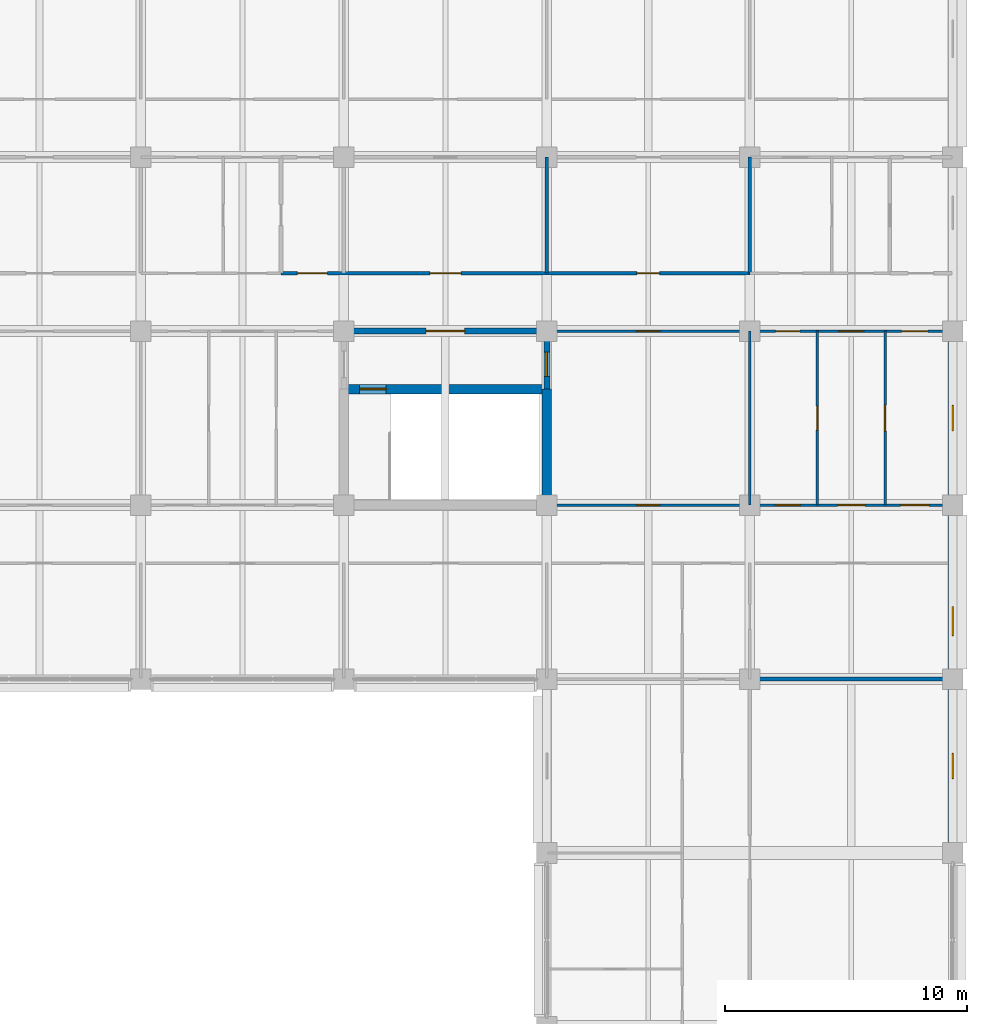
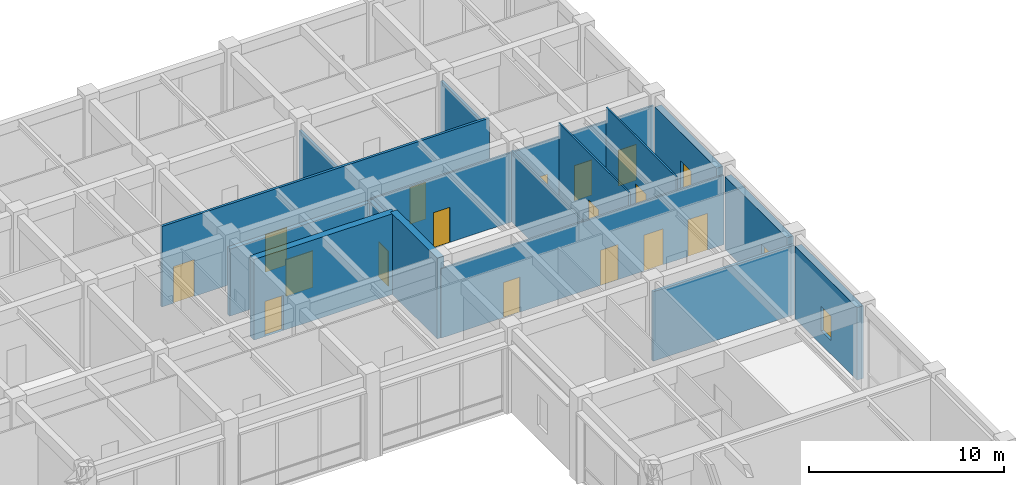
# One storey, part 48 of 58: 16 doors, 16 walls, 3 windows, 19 openings.
"""IFC4 building model written with IfcOpenShell, lengths in metres."""

from ifc_helpers import new_model, si_unit, direction, frame, frame_2d, origin, place, context, subcontext, project, spatial, rectangle, extrude, material, layer, layer_set, type_object, element, fill, save


model = new_model("IFC4")

# Units and contexts
model_context = context("Model", 3, precision=1e-05, world=origin(), true_north=direction((0.0, 1.0)))
body_context = subcontext(model_context, "Body", "Model", "MODEL_VIEW")
ifc_project = project(units=[si_unit("LENGTHUNIT", "METRE"), si_unit("AREAUNIT", "SQUARE_METRE"), si_unit("VOLUMEUNIT", "CUBIC_METRE"), si_unit("PLANEANGLEUNIT", "RADIAN"), si_unit("MASSUNIT", "GRAM", prefix="KILO")], contexts=[model_context])

# Site, building, storey
site_placement = place(None, origin())
site = spatial("IfcSite", under=ifc_project, at=site_placement, CompositionType="ELEMENT")
building_placement = place(site_placement, origin())
building = spatial("IfcBuilding", under=site, at=building_placement, Name="Chengyuan Square Courthouse", CompositionType="ELEMENT")
storey_placement = place(building_placement, frame((0.0, 0.0, 16.199951171875)))
storey = spatial("IfcBuildingStorey", under=building, at=storey_placement, Name="L04", CompositionType="ELEMENT", Elevation=16.199951171875)

# Wall, opening, window
ifc_material_1 = material(Name="Concrete C40", Category="concrete")
ifc_layer_1 = layer(ifc_material_1, 0.3798828125)
ifc_layer_set_1 = layer_set([ifc_layer_1], Name="Concrete C40")
wall_type_1 = type_object("IfcWallType", Name="WL-EW1", PredefinedType="STANDARD", material=ifc_layer_set_1)
wall_1_placement = place(storey_placement, frame((168.0, 72.419921875, 0.0), z_axis=(0.0, 0.0, 1.0), x_axis=(0.0, 1.0, 0.0)))
wall_1 = element("IfcWall", 1, at=wall_1_placement, inside=storey, type_object=wall_type_1, Name="Exterior Wall WL-L04-E334", PredefinedType="STANDARD", context=body_context, shape_type="SweptSolid", body=[
    extrude(rectangle(XDim=6.360107421875, YDim=0.3798828125, at=frame_2d((3.18017578125, 0.0))), origin(), (0.0, 0.0, 1.0), 4.550048828125),
])
opening_1_placement = place(wall_1_placement, frame((2.655029296875, 0.0, 0.85009765625)))
opening_1 = element("IfcOpeningElement", 2, at=opening_1_placement, cuts=wall_1, Name="Opening WN-106", PredefinedType="OPENING", context=body_context, shape_type="SweptSolid", body=[
    extrude(rectangle(XDim=1.050048828125, YDim=1.56005859375, at=frame_2d((0.52490234375, 0.780029296875))), frame((0.0, 0.201904296875, 0.0), z_axis=(0.0, -1.0, 0.0), x_axis=(1.0, 0.0, 0.0)), (0.0, 0.0, 1.0), 0.40380859375),
])
ifc_material_2 = material(Name="Thermally Broken Aluminium Triple Low-E Window", Category="aluminium")
window_type_1 = type_object("IfcWindowType", Name="WT-09", PartitioningType="SINGLE_PANEL", PredefinedType="WINDOW", material=ifc_material_2)
window_1_placement = place(opening_1_placement, origin())
window_1 = element("IfcWindow", 3, at=window_1_placement, inside=storey, type_object=window_type_1, Name="Facade Window WN-106", OverallHeight=1.56005859375, OverallWidth=1.050048828125, PartitioningType="SINGLE_PANEL", PredefinedType="WINDOW", context=body_context, shape_type="SweptSolid", body=[
    extrude(rectangle(XDim=1.050048828125, YDim=1.56005859375, at=frame_2d((0.52490234375, 0.780029296875))), frame((0.0, 0.030029296875, 0.0), z_axis=(0.0, -1.0, 0.0), x_axis=(1.0, 0.0, 0.0)), (0.0, 0.0, 1.0), 0.06005859375),
])
fill(opening_1, window_1)

wall_2_placement = place(storey_placement, frame((168.0, 79.6201171875, 0.0), z_axis=(0.0, 0.0, 1.0), x_axis=(0.0, 1.0, 0.0)))
wall_2 = element("IfcWall", 4, at=wall_2_placement, inside=storey, type_object=wall_type_1, Name="Exterior Wall WL-L04-E335", PredefinedType="STANDARD", context=body_context, shape_type="SweptSolid", body=[
    extrude(rectangle(XDim=6.35986328125, YDim=0.3798828125, at=frame_2d((3.179931640625, 0.0))), origin(), (0.0, 0.0, 1.0), 4.550048828125),
])
opening_2_placement = place(wall_2_placement, frame((1.3798828125, 0.0, 0.85009765625)))
opening_2 = element("IfcOpeningElement", 5, at=opening_2_placement, cuts=wall_2, Name="Opening WN-107", PredefinedType="OPENING", context=body_context, shape_type="SweptSolid", body=[
    extrude(rectangle(XDim=1.199951171875, YDim=1.739990234375, at=frame_2d((0.60009765625, 0.8701171875))), frame((0.0, 0.201904296875, 0.0), z_axis=(0.0, -1.0, 0.0), x_axis=(1.0, 0.0, 0.0)), (0.0, 0.0, 1.0), 0.40380859375),
])
window_type_2 = type_object("IfcWindowType", Name="WT-16", PartitioningType="SINGLE_PANEL", PredefinedType="WINDOW", material=ifc_material_2)
window_2_placement = place(opening_2_placement, origin())
window_2 = element("IfcWindow", 6, at=window_2_placement, inside=storey, type_object=window_type_2, Name="Facade Window WN-107", OverallHeight=1.739990234375, OverallWidth=1.199951171875, PartitioningType="SINGLE_PANEL", PredefinedType="WINDOW", context=body_context, shape_type="SweptSolid", body=[
    extrude(rectangle(XDim=1.199951171875, YDim=1.739990234375, at=frame_2d((0.60009765625, 0.8701171875))), frame((0.0, 0.030029296875, 0.0), z_axis=(0.0, -1.0, 0.0), x_axis=(1.0, 0.0, 0.0)), (0.0, 0.0, 1.0), 0.06005859375),
])
fill(opening_2, window_2)

wall_3_placement = place(storey_placement, frame((168.0, 86.820068359375, 0.0), z_axis=(0.0, 0.0, 1.0), x_axis=(0.0, 1.0, 0.0)))
wall_3 = element("IfcWall", 7, at=wall_3_placement, inside=storey, type_object=wall_type_1, Name="Exterior Wall WL-L04-E336", PredefinedType="STANDARD", context=body_context, shape_type="SweptSolid", body=[
    extrude(rectangle(XDim=6.35986328125, YDim=0.3798828125, at=frame_2d((3.179931640625, 0.0))), origin(), (0.0, 0.0, 1.0), 4.550048828125),
])
opening_3_placement = place(wall_3_placement, frame((2.655029296875, 0.0, 0.85009765625)))
opening_3 = element("IfcOpeningElement", 8, at=opening_3_placement, cuts=wall_3, Name="Opening WN-108", PredefinedType="OPENING", context=body_context, shape_type="SweptSolid", body=[
    extrude(rectangle(XDim=1.050048828125, YDim=1.919921875, at=frame_2d((0.52490234375, 0.9599609375))), frame((0.0, 0.201904296875, 0.0), z_axis=(0.0, -1.0, 0.0), x_axis=(1.0, 0.0, 0.0)), (0.0, 0.0, 1.0), 0.40380859375),
])
window_type_3 = type_object("IfcWindowType", Name="WT-11", PartitioningType="SINGLE_PANEL", PredefinedType="WINDOW", material=ifc_material_2)
window_3_placement = place(opening_3_placement, origin())
window_3 = element("IfcWindow", 9, at=window_3_placement, inside=storey, type_object=window_type_3, Name="Facade Window WN-108", OverallHeight=1.919921875, OverallWidth=1.050048828125, PartitioningType="SINGLE_PANEL", PredefinedType="WINDOW", context=body_context, shape_type="SweptSolid", body=[
    extrude(rectangle(XDim=1.050048828125, YDim=1.919921875, at=frame_2d((0.52490234375, 0.9599609375))), frame((0.0, 0.030029296875, 0.0), z_axis=(0.0, -1.0, 0.0), x_axis=(1.0, 0.0, 0.0)), (0.0, 0.0, 1.0), 0.06005859375),
])
fill(opening_3, window_3)

# Wall, opening, door
ifc_layer_2 = layer(ifc_material_1, 0.25)
ifc_layer_set_2 = layer_set([ifc_layer_2], Name="Concrete C40")
wall_type_2 = type_object("IfcWallType", Name="WL-FW1", PredefinedType="STANDARD", material=ifc_layer_set_2)
wall_4_placement = place(storey_placement, frame((142.800048828125, 93.60009765625, 0.0), z_axis=(0.0, 0.0, 1.0), x_axis=(1.0, 0.0, 0.0)))
wall_4 = element("IfcWall", 10, at=wall_4_placement, inside=storey, type_object=wall_type_2, Name="Interior Wall WL-L04-I1820", PredefinedType="STANDARD", context=body_context, shape_type="SweptSolid", body=[
    extrude(rectangle(XDim=8.39990234375, YDim=0.25, at=frame_2d((4.199951171875, 0.0))), origin(), (0.0, 0.0, 1.0), 4.199951171875),
])
opening_4_placement = place(wall_4_placement, frame((3.39990234375, 0.0, 0.0)))
opening_4 = element("IfcOpeningElement", 11, at=opening_4_placement, cuts=wall_4, Name="Opening DR-1660", PredefinedType="OPENING", context=body_context, shape_type="SweptSolid", body=[
    extrude(rectangle(XDim=1.60009765625, YDim=2.300048828125, at=frame_2d((0.800048828125, 1.14990234375))), frame((0.0, 0.136962890625, 0.0), z_axis=(0.0, -1.0, 0.0), x_axis=(1.0, 0.0, 0.0)), (0.0, 0.0, 1.0), 0.27392578125),
])
ifc_material_3 = material(Name="Steel Q235B Glazed Fire Door", Category="steel")
door_type_1 = type_object("IfcDoorType", Name="DT-17", OperationType="DOUBLE_DOOR_SINGLE_SWING", PredefinedType="DOOR", material=ifc_material_3)
door_1_placement = place(opening_4_placement, frame((1.60009765625, 0.0, 0.0), z_axis=(0.0, 0.0, 1.0), x_axis=(-1.0, 0.0, 0.0)))
door_1 = element("IfcDoor", 12, at=door_1_placement, inside=storey, type_object=door_type_1, Name="Interior Door DR-1660", OperationType="DOUBLE_DOOR_SINGLE_SWING", OverallHeight=2.300048828125, OverallWidth=1.60009765625, PredefinedType="DOOR", context=body_context, shape_type="SweptSolid", body=[
    extrude(rectangle(XDim=1.60009765625, YDim=2.300048828125, at=frame_2d((0.800048828125, 1.14990234375))), frame((0.0, 0.02490234375, 0.0), z_axis=(0.0, -1.0, 0.0), x_axis=(1.0, 0.0, 0.0)), (0.0, 0.0, 1.0), 0.050048828125),
])
fill(opening_4, door_1)

wall_5_placement = place(storey_placement, frame((151.199951171875, 91.199951171875, 0.0), z_axis=(0.0, 0.0, 1.0), x_axis=(0.0, 1.0, 0.0)))
wall_5 = element("IfcWall", 13, at=wall_5_placement, inside=storey, type_object=wall_type_2, Name="Interior Wall WL-L04-I2082", PredefinedType="STANDARD", context=body_context, shape_type="SweptSolid", body=[
    extrude(rectangle(XDim=2.400146484375, YDim=0.25, at=frame_2d((1.2001953125, 0.0))), origin(), (0.0, 0.0, 1.0), 4.300048828125),
])
opening_5_placement = place(wall_5_placement, frame((0.527587890625, 0.0, 0.0)))
opening_5 = element("IfcOpeningElement", 14, at=opening_5_placement, cuts=wall_5, Name="Opening DR-1662", PredefinedType="OPENING", context=body_context, shape_type="SweptSolid", body=[
    extrude(rectangle(XDim=1.0, YDim=2.199951171875, at=frame_2d((0.5, 1.10009765625))), frame((0.0, 0.136962890625, 0.0), z_axis=(0.0, -1.0, 0.0), x_axis=(1.0, 0.0, 0.0)), (0.0, 0.0, 1.0), 0.27392578125),
])
ifc_material_4 = material(Name="Steel Q235B Fire Door", Category="steel")
door_type_2 = type_object("IfcDoorType", Name="DT-11", OperationType="NOTDEFINED", PredefinedType="DOOR", material=ifc_material_4)
door_2_placement = place(opening_5_placement, origin())
door_2 = element("IfcDoor", 15, at=door_2_placement, inside=storey, type_object=door_type_2, Name="Interior Door DR-1662", OperationType="SINGLE_SWING_RIGHT", OverallHeight=2.199951171875, OverallWidth=1.0, PredefinedType="DOOR", context=body_context, shape_type="SweptSolid", body=[
    extrude(rectangle(XDim=1.0, YDim=2.199951171875, at=frame_2d((0.5, 1.10009765625))), frame((0.0, 0.02490234375, 0.0), z_axis=(0.0, -1.0, 0.0), x_axis=(1.0, 0.0, 0.0)), (0.0, 0.0, 1.0), 0.050048828125),
])
fill(opening_5, door_2)

# Wall
ifc_material_5 = material(Name="Acoustic Timber-Lined Gypsum Partition", Category="wood")
ifc_layer_3 = layer(ifc_material_5, 0.159912109375)
ifc_layer_set_3 = layer_set([ifc_layer_3], Name="Acoustic Timber-Lined Gypsum Partition")
wall_type_3 = type_object("IfcWallType", Name="WL-PT2", PredefinedType="STANDARD", material=ifc_layer_set_3)
wall_6_placement = place(storey_placement, frame((159.60009765625, 79.199951171875, 0.0), z_axis=(0.0, 0.0, 1.0), x_axis=(1.0, 0.0, 0.0)))
element("IfcWall", 16, at=wall_6_placement, inside=storey, type_object=wall_type_3, Name="Interior Wall WL-L04-I1772", PredefinedType="STANDARD", context=body_context, shape_type="SweptSolid", body=[
    extrude(rectangle(XDim=8.35986328125, YDim=0.159912109375, at=frame_2d((4.179931640625, 0.0))), origin(), (0.0, 0.0, 1.0), 4.35009765625),
])

# Wall, openings, doors
ifc_material_6 = material(Name="Deliberation Room Sound-Insulated Partition")
ifc_layer_4 = layer(ifc_material_6, 0.14990234375)
ifc_layer_set_4 = layer_set([ifc_layer_4], Name="Deliberation Room Sound-Insulated Partition")
wall_type_4 = type_object("IfcWallType", Name="WL-PT3", PredefinedType="STANDARD", material=ifc_layer_set_4)
wall_7_placement = place(storey_placement, frame((140.199951171875, 96.0, 0.0), z_axis=(0.0, 0.0, 1.0), x_axis=(1.0, 0.0, 0.0)))
wall_7 = element("IfcWall", 17, at=wall_7_placement, inside=storey, type_object=wall_type_4, Name="Interior Wall WL-L04-I1833", PredefinedType="STANDARD", context=body_context, shape_type="SweptSolid", body=[
    extrude(rectangle(XDim=19.400146484375, YDim=0.14990234375, at=frame_2d((9.7001953125, 0.0))), origin(), (0.0, 0.0, 1.0), 5.050048828125),
])
opening_6_placement = place(wall_7_placement, frame((0.679931640625, 0.0, 0.0)))
opening_6 = element("IfcOpeningElement", 18, at=opening_6_placement, cuts=wall_7, Name="Opening DR-1791", PredefinedType="OPENING", context=body_context, shape_type="SweptSolid", body=[
    extrude(rectangle(XDim=1.239990234375, YDim=2.300048828125, at=frame_2d((0.6201171875, 1.14990234375))), frame((0.0, 0.0869140625, 0.0), z_axis=(0.0, -1.0, 0.0), x_axis=(1.0, 0.0, 0.0)), (0.0, 0.0, 1.0), 0.173828125),
])
opening_7_placement = place(wall_7_placement, frame((6.159912109375, 0.0, 0.0)))
opening_7 = element("IfcOpeningElement", 19, at=opening_7_placement, cuts=wall_7, Name="Opening DR-1792", PredefinedType="OPENING", context=body_context, shape_type="SweptSolid", body=[
    extrude(rectangle(XDim=1.280029296875, YDim=2.35009765625, at=frame_2d((0.64013671875, 1.175048828125))), frame((0.0, 0.0869140625, 0.0), z_axis=(0.0, -1.0, 0.0), x_axis=(1.0, 0.0, 0.0)), (0.0, 0.0, 1.0), 0.173828125),
])
opening_8_placement = place(wall_7_placement, frame((14.72998046875, 0.0, 0.0)))
opening_8 = element("IfcOpeningElement", 20, at=opening_8_placement, cuts=wall_7, Name="Opening DR-1793", PredefinedType="OPENING", context=body_context, shape_type="SweptSolid", body=[
    extrude(rectangle(XDim=0.93994140625, YDim=2.300048828125, at=frame_2d((0.469970703125, 1.14990234375))), frame((0.0, 0.0869140625, 0.0), z_axis=(0.0, -1.0, 0.0), x_axis=(1.0, 0.0, 0.0)), (0.0, 0.0, 1.0), 0.173828125),
])
ifc_material_7 = material(Name="Acoustic Solid-Core Timber Door", Category="wood")
door_type_3 = type_object("IfcDoorType", Name="DT-37", OperationType="NOTDEFINED", PredefinedType="DOOR", material=ifc_material_7)
door_3_placement = place(opening_6_placement, origin())
door_3 = element("IfcDoor", 21, at=door_3_placement, inside=storey, type_object=door_type_3, Name="Interior Door DR-1791", OperationType="SINGLE_SWING_LEFT", OverallHeight=2.300048828125, OverallWidth=1.239990234375, PredefinedType="DOOR", context=body_context, shape_type="SweptSolid", body=[
    extrude(rectangle(XDim=1.239990234375, YDim=2.300048828125, at=frame_2d((0.6201171875, 1.14990234375))), frame((0.0, 0.02490234375, 0.0), z_axis=(0.0, -1.0, 0.0), x_axis=(1.0, 0.0, 0.0)), (0.0, 0.0, 1.0), 0.050048828125),
])
fill(opening_6, door_3)
door_type_4 = type_object("IfcDoorType", Name="DT-38", OperationType="NOTDEFINED", PredefinedType="DOOR", material=ifc_material_7)
door_4_placement = place(opening_7_placement, origin())
door_4 = element("IfcDoor", 22, at=door_4_placement, inside=storey, type_object=door_type_4, Name="Interior Door DR-1792", OperationType="SINGLE_SWING_RIGHT", OverallHeight=2.35009765625, OverallWidth=1.280029296875, PredefinedType="DOOR", context=body_context, shape_type="SweptSolid", body=[
    extrude(rectangle(XDim=1.280029296875, YDim=2.35009765625, at=frame_2d((0.64013671875, 1.175048828125))), frame((0.0, 0.02490234375, 0.0), z_axis=(0.0, -1.0, 0.0), x_axis=(1.0, 0.0, 0.0)), (0.0, 0.0, 1.0), 0.050048828125),
])
fill(opening_7, door_4)
door_type_5 = type_object("IfcDoorType", Name="DT-39", OperationType="NOTDEFINED", PredefinedType="DOOR", material=ifc_material_7)
door_5_placement = place(opening_8_placement, origin())
door_5 = element("IfcDoor", 23, at=door_5_placement, inside=storey, type_object=door_type_5, Name="Interior Door DR-1793", OperationType="SINGLE_SWING_LEFT", OverallHeight=2.300048828125, OverallWidth=0.93994140625, PredefinedType="DOOR", context=body_context, shape_type="SweptSolid", body=[
    extrude(rectangle(XDim=0.93994140625, YDim=2.300048828125, at=frame_2d((0.469970703125, 1.14990234375))), frame((0.0, 0.02490234375, 0.0), z_axis=(0.0, -1.0, 0.0), x_axis=(1.0, 0.0, 0.0)), (0.0, 0.0, 1.0), 0.050048828125),
])
fill(opening_8, door_5)

# Walls
wall_8_placement = place(storey_placement, frame((151.199951171875, 96.0, 0.0), z_axis=(0.0, 0.0, 1.0), x_axis=(0.0, 1.0, 0.0)))
element("IfcWall", 24, at=wall_8_placement, inside=storey, type_object=wall_type_4, Name="Interior Wall WL-L04-I2083", PredefinedType="STANDARD", context=body_context, shape_type="SweptSolid", body=[
    extrude(rectangle(XDim=4.800048828125, YDim=0.14990234375, at=frame_2d((2.39990234375, 0.0))), origin(), (0.0, 0.0, 1.0), 4.300048828125),
])
wall_9_placement = place(storey_placement, frame((159.60009765625, 96.0, 0.0), z_axis=(0.0, 0.0, 1.0), x_axis=(0.0, 1.0, 0.0)))
element("IfcWall", 25, at=wall_9_placement, inside=storey, type_object=wall_type_4, Name="Interior Wall WL-L04-I2095", PredefinedType="STANDARD", context=body_context, shape_type="SweptSolid", body=[
    extrude(rectangle(XDim=4.800048828125, YDim=0.14990234375, at=frame_2d((2.39990234375, 0.0))), origin(), (0.0, 0.0, 1.0), 4.449951171875),
])

# Wall, openings, doors
ifc_material_8 = material(Name="Gypsum Plasterboard Acoustic Stud Partition")
ifc_layer_5 = layer(ifc_material_8, 0.10009765625)
ifc_layer_set_5 = layer_set([ifc_layer_5], Name="Gypsum Plasterboard Acoustic Stud Partition")
wall_type_5 = type_object("IfcWallType", Name="WL-PT6", PredefinedType="STANDARD", material=ifc_layer_set_5)
wall_10_placement = place(storey_placement, frame((151.199951171875, 86.39990234375, 0.0), z_axis=(0.0, 0.0, 1.0), x_axis=(1.0, 0.0, 0.0)))
wall_10 = element("IfcWall", 26, at=wall_10_placement, inside=storey, type_object=wall_type_5, Name="Interior Wall WL-L04-I1793", PredefinedType="STANDARD", context=body_context, shape_type="SweptSolid", body=[
    extrude(rectangle(XDim=16.760009765625, YDim=0.10009765625, at=frame_2d((8.3798828125, 0.0))), origin(), (0.0, 0.0, 1.0), 4.35009765625),
])
opening_9_placement = place(wall_10_placement, frame((3.719970703125, 0.0, 0.0)))
opening_9 = element("IfcOpeningElement", 27, at=opening_9_placement, cuts=wall_10, Name="Opening DR-1852", PredefinedType="OPENING", context=body_context, shape_type="SweptSolid", body=[
    extrude(rectangle(XDim=0.9599609375, YDim=2.199951171875, at=frame_2d((0.47998046875, 1.10009765625))), frame((0.0, 0.06201171875, 0.0), z_axis=(0.0, -1.0, 0.0), x_axis=(1.0, 0.0, 0.0)), (0.0, 0.0, 1.0), 0.1240234375),
])
opening_10_placement = place(wall_10_placement, frame((9.452392578125, 0.0, 0.0)))
opening_10 = element("IfcOpeningElement", 28, at=opening_10_placement, cuts=wall_10, Name="Opening DR-1854", PredefinedType="OPENING", context=body_context, shape_type="SweptSolid", body=[
    extrude(rectangle(XDim=1.0400390625, YDim=2.199951171875, at=frame_2d((0.52001953125, 1.10009765625))), frame((0.0, 0.06201171875, 0.0), z_axis=(0.0, -1.0, 0.0), x_axis=(1.0, 0.0, 0.0)), (0.0, 0.0, 1.0), 0.1240234375),
])
opening_11_placement = place(wall_10_placement, frame((12.0400390625, 0.0, 0.0)))
opening_11 = element("IfcOpeningElement", 29, at=opening_11_placement, cuts=wall_10, Name="Opening DR-1856", PredefinedType="OPENING", context=body_context, shape_type="SweptSolid", body=[
    extrude(rectangle(XDim=1.1201171875, YDim=2.25, at=frame_2d((0.56005859375, 1.125))), frame((0.0, 0.06201171875, 0.0), z_axis=(0.0, -1.0, 0.0), x_axis=(1.0, 0.0, 0.0)), (0.0, 0.0, 1.0), 0.1240234375),
])
opening_12_placement = place(wall_10_placement, frame((14.6474609375, 0.0, 0.0)))
opening_12 = element("IfcOpeningElement", 30, at=opening_12_placement, cuts=wall_10, Name="Opening DR-1857", PredefinedType="OPENING", context=body_context, shape_type="SweptSolid", body=[
    extrude(rectangle(XDim=1.159912109375, YDim=2.300048828125, at=frame_2d((0.580078125, 1.14990234375))), frame((0.0, 0.06201171875, 0.0), z_axis=(0.0, -1.0, 0.0), x_axis=(1.0, 0.0, 0.0)), (0.0, 0.0, 1.0), 0.1240234375),
])
door_type_6 = type_object("IfcDoorType", Name="DT-30", OperationType="NOTDEFINED", PredefinedType="DOOR", material=ifc_material_7)
door_6_placement = place(opening_9_placement, origin())
door_6 = element("IfcDoor", 31, at=door_6_placement, inside=storey, type_object=door_type_6, Name="Interior Door DR-1852", OperationType="SINGLE_SWING_RIGHT", OverallHeight=2.199951171875, OverallWidth=0.9599609375, PredefinedType="DOOR", context=body_context, shape_type="SweptSolid", body=[
    extrude(rectangle(XDim=0.9599609375, YDim=2.199951171875, at=frame_2d((0.47998046875, 1.10009765625))), frame((0.0, 0.02490234375, 0.0), z_axis=(0.0, -1.0, 0.0), x_axis=(1.0, 0.0, 0.0)), (0.0, 0.0, 1.0), 0.050048828125),
])
fill(opening_9, door_6)
door_type_7 = type_object("IfcDoorType", Name="DT-32", OperationType="NOTDEFINED", PredefinedType="DOOR", material=ifc_material_7)
door_7_placement = place(opening_10_placement, origin())
door_7 = element("IfcDoor", 32, at=door_7_placement, inside=storey, type_object=door_type_7, Name="Interior Door DR-1854", OperationType="SINGLE_SWING_RIGHT", OverallHeight=2.199951171875, OverallWidth=1.0400390625, PredefinedType="DOOR", context=body_context, shape_type="SweptSolid", body=[
    extrude(rectangle(XDim=1.0400390625, YDim=2.199951171875, at=frame_2d((0.52001953125, 1.10009765625))), frame((0.0, 0.02490234375, 0.0), z_axis=(0.0, -1.0, 0.0), x_axis=(1.0, 0.0, 0.0)), (0.0, 0.0, 1.0), 0.050048828125),
])
fill(opening_10, door_7)
door_type_8 = type_object("IfcDoorType", Name="DT-34", OperationType="NOTDEFINED", PredefinedType="DOOR", material=ifc_material_7)
door_8_placement = place(opening_11_placement, origin())
door_8 = element("IfcDoor", 33, at=door_8_placement, inside=storey, type_object=door_type_8, Name="Interior Door DR-1856", OperationType="SINGLE_SWING_RIGHT", OverallHeight=2.25, OverallWidth=1.1201171875, PredefinedType="DOOR", context=body_context, shape_type="SweptSolid", body=[
    extrude(rectangle(XDim=1.1201171875, YDim=2.25, at=frame_2d((0.56005859375, 1.125))), frame((0.0, 0.02490234375, 0.0), z_axis=(0.0, -1.0, 0.0), x_axis=(1.0, 0.0, 0.0)), (0.0, 0.0, 1.0), 0.050048828125),
])
fill(opening_11, door_8)
door_type_9 = type_object("IfcDoorType", Name="DT-35", OperationType="NOTDEFINED", PredefinedType="DOOR", material=ifc_material_7)
door_9_placement = place(opening_12_placement, origin())
door_9 = element("IfcDoor", 34, at=door_9_placement, inside=storey, type_object=door_type_9, Name="Interior Door DR-1857", OperationType="SINGLE_SWING_LEFT", OverallHeight=2.300048828125, OverallWidth=1.159912109375, PredefinedType="DOOR", context=body_context, shape_type="SweptSolid", body=[
    extrude(rectangle(XDim=1.159912109375, YDim=2.300048828125, at=frame_2d((0.580078125, 1.14990234375))), frame((0.0, 0.02490234375, 0.0), z_axis=(0.0, -1.0, 0.0), x_axis=(1.0, 0.0, 0.0)), (0.0, 0.0, 1.0), 0.050048828125),
])
fill(opening_12, door_9)

wall_11_placement = place(storey_placement, frame((151.199951171875, 93.60009765625, 0.0), z_axis=(0.0, 0.0, 1.0), x_axis=(1.0, 0.0, 0.0)))
wall_11 = element("IfcWall", 35, at=wall_11_placement, inside=storey, type_object=wall_type_5, Name="Interior Wall WL-L04-I1821", PredefinedType="STANDARD", context=body_context, shape_type="SweptSolid", body=[
    extrude(rectangle(XDim=16.760009765625, YDim=0.10009765625, at=frame_2d((8.3798828125, 0.0))), origin(), (0.0, 0.0, 1.0), 4.35009765625),
])
opening_13_placement = place(wall_11_placement, frame((3.719970703125, 0.0, 0.0)))
opening_13 = element("IfcOpeningElement", 36, at=opening_13_placement, cuts=wall_11, Name="Opening DR-1801", PredefinedType="OPENING", context=body_context, shape_type="SweptSolid", body=[
    extrude(rectangle(XDim=0.9599609375, YDim=2.199951171875, at=frame_2d((0.47998046875, 1.10009765625))), frame((0.0, 0.06201171875, 0.0), z_axis=(0.0, -1.0, 0.0), x_axis=(1.0, 0.0, 0.0)), (0.0, 0.0, 1.0), 0.1240234375),
])
opening_14_placement = place(wall_11_placement, frame((9.472412109375, 0.0, 0.0)))
opening_14 = element("IfcOpeningElement", 37, at=opening_14_placement, cuts=wall_11, Name="Opening DR-1802", PredefinedType="OPENING", context=body_context, shape_type="SweptSolid", body=[
    extrude(rectangle(XDim=1.0, YDim=2.25, at=frame_2d((0.5, 1.125))), frame((0.0, 0.06201171875, 0.0), z_axis=(0.0, -1.0, 0.0), x_axis=(1.0, 0.0, 0.0)), (0.0, 0.0, 1.0), 0.1240234375),
])
opening_15_placement = place(wall_11_placement, frame((12.080078125, 0.0, 0.0)))
opening_15 = element("IfcOpeningElement", 38, at=opening_15_placement, cuts=wall_11, Name="Opening DR-1803", PredefinedType="OPENING", context=body_context, shape_type="SweptSolid", body=[
    extrude(rectangle(XDim=1.0400390625, YDim=2.199951171875, at=frame_2d((0.52001953125, 1.10009765625))), frame((0.0, 0.06201171875, 0.0), z_axis=(0.0, -1.0, 0.0), x_axis=(1.0, 0.0, 0.0)), (0.0, 0.0, 1.0), 0.1240234375),
])
opening_16_placement = place(wall_11_placement, frame((14.6875, 0.0, 0.0)))
opening_16 = element("IfcOpeningElement", 39, at=opening_16_placement, cuts=wall_11, Name="Opening DR-1804", PredefinedType="OPENING", context=body_context, shape_type="SweptSolid", body=[
    extrude(rectangle(XDim=1.080078125, YDim=2.25, at=frame_2d((0.5400390625, 1.125))), frame((0.0, 0.06201171875, 0.0), z_axis=(0.0, -1.0, 0.0), x_axis=(1.0, 0.0, 0.0)), (0.0, 0.0, 1.0), 0.1240234375),
])
door_10_placement = place(opening_13_placement, origin())
door_10 = element("IfcDoor", 40, at=door_10_placement, inside=storey, type_object=door_type_6, Name="Interior Door DR-1801", OperationType="SINGLE_SWING_RIGHT", OverallHeight=2.199951171875, OverallWidth=0.9599609375, PredefinedType="DOOR", context=body_context, shape_type="SweptSolid", body=[
    extrude(rectangle(XDim=0.9599609375, YDim=2.199951171875, at=frame_2d((0.47998046875, 1.10009765625))), frame((0.0, 0.02490234375, 0.0), z_axis=(0.0, -1.0, 0.0), x_axis=(1.0, 0.0, 0.0)), (0.0, 0.0, 1.0), 0.050048828125),
])
fill(opening_13, door_10)
door_type_10 = type_object("IfcDoorType", Name="DT-31", OperationType="NOTDEFINED", PredefinedType="DOOR", material=ifc_material_7)
door_11_placement = place(opening_14_placement, origin())
door_11 = element("IfcDoor", 41, at=door_11_placement, inside=storey, type_object=door_type_10, Name="Interior Door DR-1802", OperationType="SINGLE_SWING_LEFT", OverallHeight=2.25, OverallWidth=1.0, PredefinedType="DOOR", context=body_context, shape_type="SweptSolid", body=[
    extrude(rectangle(XDim=1.0, YDim=2.25, at=frame_2d((0.5, 1.125))), frame((0.0, 0.02490234375, 0.0), z_axis=(0.0, -1.0, 0.0), x_axis=(1.0, 0.0, 0.0)), (0.0, 0.0, 1.0), 0.050048828125),
])
fill(opening_14, door_11)
door_12_placement = place(opening_15_placement, origin())
door_12 = element("IfcDoor", 42, at=door_12_placement, inside=storey, type_object=door_type_7, Name="Interior Door DR-1803", OperationType="SINGLE_SWING_RIGHT", OverallHeight=2.199951171875, OverallWidth=1.0400390625, PredefinedType="DOOR", context=body_context, shape_type="SweptSolid", body=[
    extrude(rectangle(XDim=1.0400390625, YDim=2.199951171875, at=frame_2d((0.52001953125, 1.10009765625))), frame((0.0, 0.02490234375, 0.0), z_axis=(0.0, -1.0, 0.0), x_axis=(1.0, 0.0, 0.0)), (0.0, 0.0, 1.0), 0.050048828125),
])
fill(opening_15, door_12)
door_type_11 = type_object("IfcDoorType", Name="DT-33", OperationType="NOTDEFINED", PredefinedType="DOOR", material=ifc_material_7)
door_13_placement = place(opening_16_placement, origin())
door_13 = element("IfcDoor", 43, at=door_13_placement, inside=storey, type_object=door_type_11, Name="Interior Door DR-1804", OperationType="SINGLE_SWING_LEFT", OverallHeight=2.25, OverallWidth=1.080078125, PredefinedType="DOOR", context=body_context, shape_type="SweptSolid", body=[
    extrude(rectangle(XDim=1.080078125, YDim=2.25, at=frame_2d((0.5400390625, 1.125))), frame((0.0, 0.02490234375, 0.0), z_axis=(0.0, -1.0, 0.0), x_axis=(1.0, 0.0, 0.0)), (0.0, 0.0, 1.0), 0.050048828125),
])
fill(opening_16, door_13)

# Wall
wall_12_placement = place(storey_placement, frame((159.60009765625, 86.39990234375, 0.0), z_axis=(0.0, 0.0, 1.0), x_axis=(0.0, 1.0, 0.0)))
element("IfcWall", 44, at=wall_12_placement, inside=storey, type_object=wall_type_5, Name="Interior Wall WL-L04-I2094", PredefinedType="STANDARD", context=body_context, shape_type="SweptSolid", body=[
    extrude(rectangle(XDim=7.2001953125, YDim=0.10009765625, at=frame_2d((3.60009765625, 0.0))), origin(), (0.0, 0.0, 1.0), 4.449951171875),
])

# Wall, opening, door
wall_13_placement = place(storey_placement, frame((162.39990234375, 86.39990234375, 0.0), z_axis=(0.0, 0.0, 1.0), x_axis=(0.0, 1.0, 0.0)))
wall_13 = element("IfcWall", 45, at=wall_13_placement, inside=storey, type_object=wall_type_5, Name="Interior Wall WL-L04-I2097", PredefinedType="STANDARD", context=body_context, shape_type="SweptSolid", body=[
    extrude(rectangle(XDim=7.2001953125, YDim=0.10009765625, at=frame_2d((3.60009765625, 0.0))), origin(), (0.0, 0.0, 1.0), 5.199951171875),
])
opening_17_placement = place(wall_13_placement, frame((3.10009765625, 0.0, 0.0)))
opening_17 = element("IfcOpeningElement", 46, at=opening_17_placement, cuts=wall_13, Name="Opening DR-1853", PredefinedType="OPENING", context=body_context, shape_type="SweptSolid", body=[
    extrude(rectangle(XDim=1.0, YDim=2.25, at=frame_2d((0.5, 1.125))), frame((0.0, 0.06201171875, 0.0), z_axis=(0.0, -1.0, 0.0), x_axis=(1.0, 0.0, 0.0)), (0.0, 0.0, 1.0), 0.1240234375),
])
door_14_placement = place(opening_17_placement, origin())
door_14 = element("IfcDoor", 47, at=door_14_placement, inside=storey, type_object=door_type_10, Name="Interior Door DR-1853", OperationType="SINGLE_SWING_LEFT", OverallHeight=2.25, OverallWidth=1.0, PredefinedType="DOOR", context=body_context, shape_type="SweptSolid", body=[
    extrude(rectangle(XDim=1.0, YDim=2.25, at=frame_2d((0.5, 1.125))), frame((0.0, 0.02490234375, 0.0), z_axis=(0.0, -1.0, 0.0), x_axis=(1.0, 0.0, 0.0)), (0.0, 0.0, 1.0), 0.050048828125),
])
fill(opening_17, door_14)

wall_14_placement = place(storey_placement, frame((165.199951171875, 86.39990234375, 0.0), z_axis=(0.0, 0.0, 1.0), x_axis=(0.0, 1.0, 0.0)))
wall_14 = element("IfcWall", 48, at=wall_14_placement, inside=storey, type_object=wall_type_5, Name="Interior Wall WL-L04-I2099", PredefinedType="STANDARD", context=body_context, shape_type="SweptSolid", body=[
    extrude(rectangle(XDim=7.2001953125, YDim=0.10009765625, at=frame_2d((3.60009765625, 0.0))), origin(), (0.0, 0.0, 1.0), 5.199951171875),
])
opening_18_placement = place(wall_14_placement, frame((3.06005859375, 0.0, 0.0)))
opening_18 = element("IfcOpeningElement", 49, at=opening_18_placement, cuts=wall_14, Name="Opening DR-1855", PredefinedType="OPENING", context=body_context, shape_type="SweptSolid", body=[
    extrude(rectangle(XDim=1.080078125, YDim=2.25, at=frame_2d((0.5400390625, 1.125))), frame((0.0, 0.06201171875, 0.0), z_axis=(0.0, -1.0, 0.0), x_axis=(1.0, 0.0, 0.0)), (0.0, 0.0, 1.0), 0.1240234375),
])
door_15_placement = place(opening_18_placement, origin())
door_15 = element("IfcDoor", 50, at=door_15_placement, inside=storey, type_object=door_type_11, Name="Interior Door DR-1855", OperationType="SINGLE_SWING_LEFT", OverallHeight=2.25, OverallWidth=1.080078125, PredefinedType="DOOR", context=body_context, shape_type="SweptSolid", body=[
    extrude(rectangle(XDim=1.080078125, YDim=2.25, at=frame_2d((0.5400390625, 1.125))), frame((0.0, 0.02490234375, 0.0), z_axis=(0.0, -1.0, 0.0), x_axis=(1.0, 0.0, 0.0)), (0.0, 0.0, 1.0), 0.050048828125),
])
fill(opening_18, door_15)

ifc_material_9 = material(Name="Concrete C50", Category="concrete")
ifc_layer_6 = layer(ifc_material_9, 0.39990234375)
ifc_layer_set_6 = layer_set([ifc_layer_6], Name="Concrete C50")
wall_type_6 = type_object("IfcWallType", Name="WL-SW1", PredefinedType="SHEAR", material=ifc_layer_set_6)
wall_15_placement = place(storey_placement, frame((142.800048828125, 91.199951171875, 0.0), z_axis=(0.0, 0.0, 1.0), x_axis=(1.0, 0.0, 0.0)))
wall_15 = element("IfcWall", 51, at=wall_15_placement, inside=storey, type_object=wall_type_6, Name="Interior Wall WL-L04-I1808", PredefinedType="SHEAR", context=body_context, shape_type="SweptSolid", body=[
    extrude(rectangle(XDim=8.39990234375, YDim=0.39990234375, at=frame_2d((4.199951171875, 0.0))), origin(), (0.0, 0.0, 1.0), 5.050048828125),
])
opening_19_placement = place(wall_15_placement, frame((0.64990234375, 0.0, 0.0)))
opening_19 = element("IfcOpeningElement", 52, at=opening_19_placement, cuts=wall_15, Name="Opening DR-1632", PredefinedType="OPENING", context=body_context, shape_type="SweptSolid", body=[
    extrude(rectangle(XDim=1.10009765625, YDim=2.199951171875, at=frame_2d((0.550048828125, 1.10009765625))), frame((0.0, 0.2119140625, 0.0), z_axis=(0.0, -1.0, 0.0), x_axis=(1.0, 0.0, 0.0)), (0.0, 0.0, 1.0), 0.423828125),
])
door_type_12 = type_object("IfcDoorType", Name="DT-10", OperationType="NOTDEFINED", PredefinedType="DOOR", material=ifc_material_4)
door_16_placement = place(opening_19_placement, frame((1.10009765625, 0.0, 0.0), z_axis=(0.0, 0.0, 1.0), x_axis=(-1.0, 0.0, 0.0)))
door_16 = element("IfcDoor", 53, at=door_16_placement, inside=storey, type_object=door_type_12, Name="Smoke-Proof Stairwell Fire Door ST-10 DR-1632", OperationType="SINGLE_SWING_RIGHT", OverallHeight=2.199951171875, OverallWidth=1.10009765625, PredefinedType="DOOR", context=body_context, shape_type="SweptSolid", body=[
    extrude(rectangle(XDim=1.10009765625, YDim=2.199951171875, at=frame_2d((0.550048828125, 1.10009765625))), frame((0.0, 0.02490234375, 0.0), z_axis=(0.0, -1.0, 0.0), x_axis=(1.0, 0.0, 0.0)), (0.0, 0.0, 1.0), 0.050048828125),
])
fill(opening_19, door_16)

# Wall
wall_16_placement = place(storey_placement, frame((151.199951171875, 86.39990234375, 0.0), z_axis=(0.0, 0.0, 1.0), x_axis=(0.0, 1.0, 0.0)))
element("IfcWall", 54, at=wall_16_placement, inside=storey, type_object=wall_type_6, Name="Interior Wall WL-L04-I2081", PredefinedType="SHEAR", context=body_context, shape_type="SweptSolid", body=[
    extrude(rectangle(XDim=4.800048828125, YDim=0.39990234375, at=frame_2d((2.39990234375, 0.0))), origin(), (0.0, 0.0, 1.0), 5.050048828125),
])

save(model, "model.ifc")
